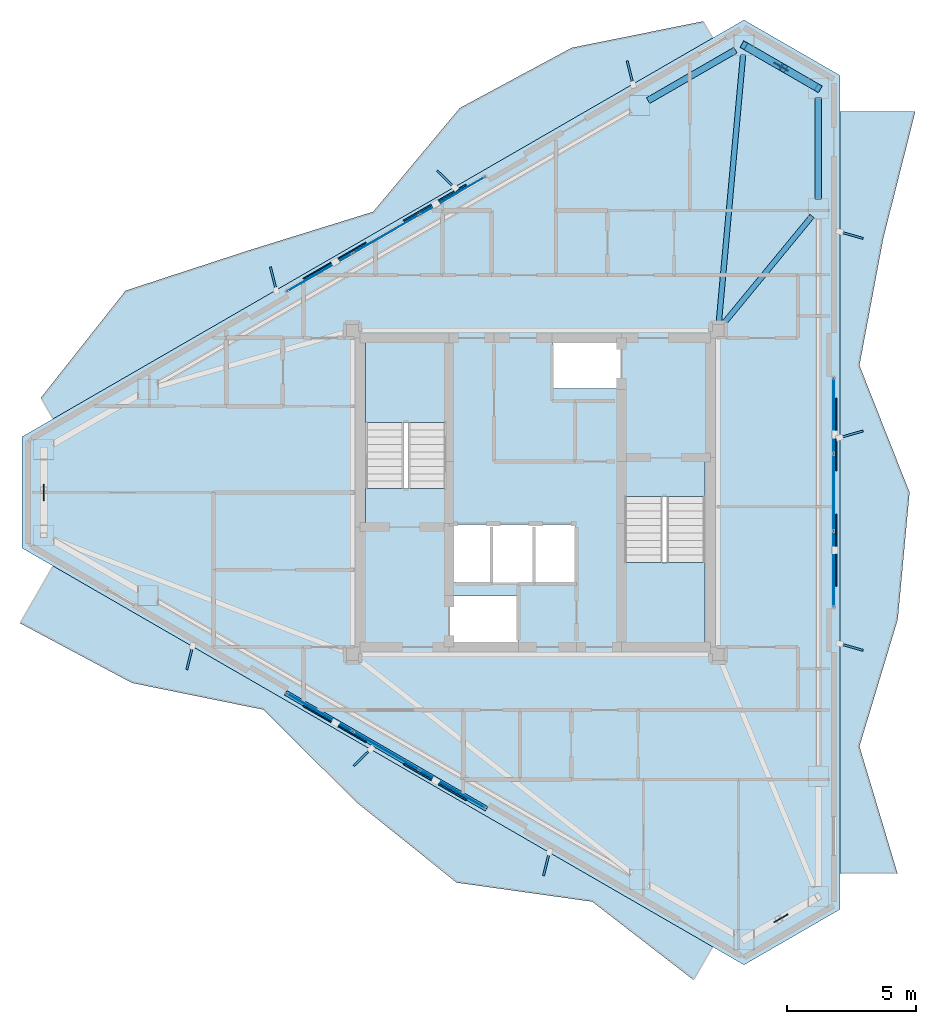
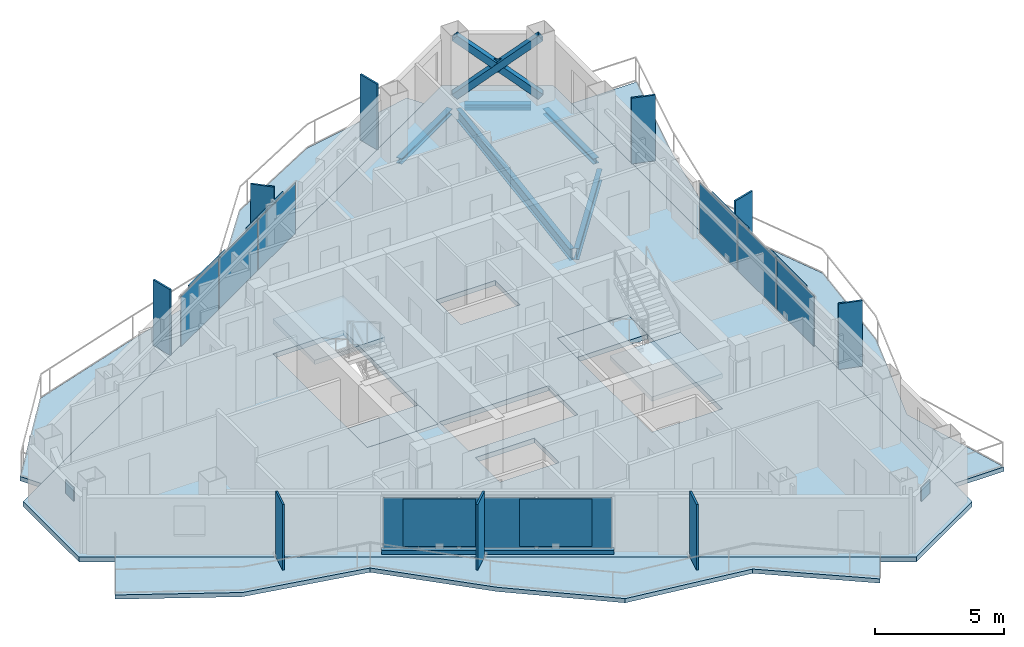
# One storey, part 15 of 22: 27 plates, 8 slabs, 5 beams, 3 members, 1 wall, 5 elements without a shape of their own.
"""IFC4 building model written with IfcOpenShell, lengths in metres."""

from ifc_helpers import new_model, si_unit, direction, frame, frame_2d, origin, origin_2d, place, context, subcontext, project, spatial, polyline, rectangle, hollow_rectangle, i_section, outline, extrude, material, layer, layer_set, material_profile, profile_set, type_object, element, aggregate, save


model = new_model("IFC4")

# Units and contexts
model_context = context("Model", 3, precision=1e-05, world=origin(), true_north=direction((0.0, 1.0)))
body_context = subcontext(model_context, "Body", "Model", "MODEL_VIEW")
ifc_project = project(units=[si_unit("LENGTHUNIT", "METRE"), si_unit("AREAUNIT", "SQUARE_METRE"), si_unit("VOLUMEUNIT", "CUBIC_METRE"), si_unit("PLANEANGLEUNIT", "RADIAN"), si_unit("MASSUNIT", "GRAM", prefix="KILO")], contexts=[model_context])

# Site, building, storey
site_placement = place(None, origin())
site = spatial("IfcSite", under=ifc_project, at=site_placement, CompositionType="ELEMENT")
building_placement = place(site_placement, origin())
building = spatial("IfcBuilding", under=site, at=building_placement, Name="Mersakhor Tower and Convention Hall", CompositionType="ELEMENT")
storey_placement = place(building_placement, frame((0.0, 0.0, 198.60009765625)))
storey = spatial("IfcBuildingStorey", under=building, at=storey_placement, Name="L55", CompositionType="ELEMENT", Elevation=198.60009765625)

# Beams
ifc_material_1 = material(Name="Steel S355", Category="steel")
ifc_material_profile_1 = material_profile(ifc_material_1, i_section(OverallWidth=0.2099609375, OverallDepth=0.53662109375, WebThickness=0.0107421875, FlangeThickness=0.017333984375, at=origin_2d()), Name="UB 533x210x101")
ifc_profile_set_1 = profile_set([ifc_material_profile_1], Name="Steel S355")
beam_type_1 = type_object("IfcBeamType", Name="BM-FB-533", PredefinedType="BEAM", material=ifc_profile_set_1)
beam_1_placement = place(storey_placement, frame((36.125244140625, 33.328857421875, -0.498291015625), z_axis=(0.090367269821, 0.99590850812, 0.0), x_axis=(-0.99590850812, 0.090367269821, 0.0)))
element("IfcBeam", 1, at=beam_1_placement, inside=storey, type_object=beam_type_1, Name="L55 Primary Floor Girder FG-2", PredefinedType="BEAM", context=body_context, shape_type="SweptSolid", body=[
    extrude(i_section(OverallWidth=0.2099609375, OverallDepth=0.53662109375, WebThickness=0.0107421875, FlangeThickness=0.017333984375, at=origin_2d()), origin(), (0.0, 0.0, 1.0), 10.45263671875),
])
beam_2_placement = place(storey_placement, frame((36.278076171875, 33.26611328125, -0.498291015625), z_axis=(0.635588076211, 0.772028365657, 0.0), x_axis=(-0.772028365657, 0.635588076211, 0.0)))
element("IfcBeam", 2, at=beam_2_placement, inside=storey, type_object=beam_type_1, Name="L55 Primary Floor Girder FG-3", PredefinedType="BEAM", context=body_context, shape_type="SweptSolid", body=[
    extrude(i_section(OverallWidth=0.2099609375, OverallDepth=0.53662109375, WebThickness=0.0107421875, FlangeThickness=0.017333984375, at=origin_2d()), origin(), (0.0, 0.0, 1.0), 5.45751953125),
])
ifc_material_2 = material(Name="Steel S355", Category="steel")
ifc_material_profile_2 = material_profile(ifc_material_2, i_section(OverallWidth=0.25634765625, OverallDepth=0.26025390625, WebThickness=0.01025390625, FlangeThickness=0.017333984375, at=origin_2d()), Name="UC 254x254x89")
ifc_profile_set_2 = profile_set([ifc_material_profile_2], Name="Steel S355")
beam_type_2 = type_object("IfcBeamType", Name="BM-SPD-UC254", PredefinedType="SPANDREL", material=ifc_profile_set_2)
beam_3_placement = place(storey_placement, frame((33.380859375, 41.967529296875, -0.360107421875), z_axis=(0.866007153761, 0.500031608635, 0.0), x_axis=(-0.500031608635, 0.866007153761, 0.0)))
element("IfcBeam", 3, at=beam_3_placement, inside=storey, type_object=beam_type_2, Name="L55 Perimeter Spandrel Beam SPB-03", PredefinedType="SPANDREL", context=body_context, shape_type="SweptSolid", body=[
    extrude(i_section(OverallWidth=0.25634765625, OverallDepth=0.26025390625, WebThickness=0.01025390625, FlangeThickness=0.017333984375, at=origin_2d()), origin(), (0.0, 0.0, 1.0), 3.919189453125),
])
beam_4_placement = place(storey_placement, frame((37.43310546875, 43.92724609375, -0.360107421875), z_axis=(0.866036909293, -0.499980071345, 0.0), x_axis=(0.499980071345, 0.866036909293, 0.0)))
element("IfcBeam", 4, at=beam_4_placement, inside=storey, type_object=beam_type_2, Name="L55 Perimeter Spandrel Beam SPB-04", PredefinedType="SPANDREL", context=body_context, shape_type="SweptSolid", body=[
    extrude(i_section(OverallWidth=0.25634765625, OverallDepth=0.26025390625, WebThickness=0.01025390625, FlangeThickness=0.017333984375, at=origin_2d()), origin(), (0.0, 0.0, 1.0), 2.5703125),
])
beam_5_placement = place(storey_placement, frame((39.98828125, 42.072021484375, -0.360107421875), z_axis=(0.0, -1.0, 0.0), x_axis=(1.0, 0.0, 0.0)))
element("IfcBeam", 5, at=beam_5_placement, inside=storey, type_object=beam_type_2, Name="L55 Perimeter Spandrel Beam SPB-05", PredefinedType="SPANDREL", context=body_context, shape_type="SweptSolid", body=[
    extrude(i_section(OverallWidth=0.25634765625, OverallDepth=0.26025390625, WebThickness=0.01025390625, FlangeThickness=0.017333984375, at=origin_2d()), origin(), (0.0, 0.0, 1.0), 3.919189453125),
])

# Members
ifc_material_3 = material(Name="Steel S355", Category="steel")
ifc_material_profile_3 = material_profile(ifc_material_3, hollow_rectangle(XDim=0.300048828125, YDim=0.300048828125, WallThickness=0.01611328125, at=origin_2d()), Name="SHS 300x300x16")
ifc_profile_set_3 = profile_set([ifc_material_profile_3], Name="Steel S355")
member_type = type_object("IfcMemberType", Name="MB-BRC-SHS300", PredefinedType="BRACE", material=ifc_profile_set_3)
member_1_placement = place(storey_placement, frame((37.10400390625, 44.1171875, 0.14990234375), z_axis=(0.665824923443, -0.384424564314, 0.639448923429), x_axis=(0.50001011158, 0.866019565782, 0.0)))
element("IfcMember", 6, at=member_1_placement, inside=storey, type_object=member_type, Name="L55 Chamfer Braced Frame Diagonal CB-1A", PredefinedType="BRACE", context=body_context, shape_type="SweptSolid", body=[
    extrude(hollow_rectangle(XDim=0.300048828125, YDim=0.300048828125, WallThickness=0.01611328125, at=origin_2d()), origin(), (0.0, 0.0, 1.0), 4.331787109375),
])
member_2_placement = place(storey_placement, frame((39.98828125, 42.451904296875, 0.14990234375), z_axis=(-0.665763296387, 0.384506307606, 0.639463941592), x_axis=(-0.500124558158, -0.865953478154, 0.0)))
element("IfcMember", 7, at=member_2_placement, inside=storey, type_object=member_type, Name="L55 Chamfer Braced Frame Diagonal CB-1B Lower Half", PredefinedType="BRACE", context=body_context, shape_type="SweptSolid", body=[
    extrude(hollow_rectangle(XDim=0.300048828125, YDim=0.300048828125, WallThickness=0.01611328125, at=origin_2d()), origin(), (0.0, 0.0, 1.0), 2.005126953125),
])
member_3_placement = place(storey_placement, frame((38.439208984375, 43.34619140625, 1.6376953125), z_axis=(-0.665831077073, 0.384475140135, 0.639412107659), x_axis=(-0.50005597947, -0.86599308161, 0.0)))
element("IfcMember", 8, at=member_3_placement, inside=storey, type_object=member_type, Name="L55 Chamfer Braced Frame Diagonal CB-1B Upper Half", PredefinedType="BRACE", context=body_context, shape_type="SweptSolid", body=[
    extrude(hollow_rectangle(XDim=0.300048828125, YDim=0.300048828125, WallThickness=0.01611328125, at=origin_2d()), origin(), (0.0, 0.0, 1.0), 2.00537109375),
])

# Curtain wall, plates
ifc_material_4 = material(Name="Dark solar low-E aluminium curtain wall", Category="aluminium")
ifc_layer_1 = layer(ifc_material_4, 0.169921875)
ifc_layer_set_1 = layer_set([ifc_layer_1], Name="Dark solar low-E aluminium curtain wall")
curtain_wall_type = type_object("IfcCurtainWallType", Name="CW-SYS-02", PredefinedType="USERDEFINED", material=ifc_layer_set_1)
curtain_wall_1_placement = place(storey_placement, origin())
curtain_wall_1 = element("IfcCurtainWall", 9, at=curtain_wall_1_placement, inside=storey, type_object=curtain_wall_type, Name="L55 Dark-Glass Curtain Wall F1-B2", ObjectType="CURTAIN WALL", PredefinedType="USERDEFINED")
ifc_material_5 = material(Name="Dark solar double glazing", Category="glass")
ifc_layer_2 = layer(ifc_material_5, 0.028076171875)
ifc_layer_set_2 = layer_set([ifc_layer_2], Name="Dark solar double glazing")
plate_type_1 = type_object("IfcPlateType", Name="CWP-GLZ-28", PredefinedType="CURTAIN_PANEL", material=ifc_layer_set_2)
plate_1_placement = place(storey_placement, frame((20.624267578125, 35.29541015625, 0.259765625), z_axis=(0.0, 0.0, 1.0), x_axis=(0.86602088627, 0.500007824483, 0.0)))
plate_1 = element("IfcPlate", 10, at=plate_1_placement, type_object=plate_type_1, Name="CW-02 panel 1.1", PredefinedType="CURTAIN_PANEL", context=body_context, shape_type="SweptSolid", body=[
    extrude(rectangle(XDim=2.88720703125, YDim=0.028076171875, at=origin_2d()), origin(), (0.0, 0.0, 1.0), 2.3701171875),
])
plate_2_placement = place(storey_placement, frame((23.205810546875, 36.785888671875, 0.259765625), z_axis=(0.0, 0.0, 1.0), x_axis=(0.86602088627, 0.500007824483, 0.0)))
plate_2 = element("IfcPlate", 11, at=plate_2_placement, type_object=plate_type_1, Name="CW-02 panel 2.1", PredefinedType="CURTAIN_PANEL", context=body_context, shape_type="SweptSolid", body=[
    extrude(rectangle(XDim=2.924560546875, YDim=0.028076171875, at=origin_2d()), origin(), (0.0, 0.0, 1.0), 2.3701171875),
])
plate_3_placement = place(storey_placement, frame((25.787353515625, 38.2763671875, 0.259765625), z_axis=(0.0, 0.0, 1.0), x_axis=(0.86602088627, 0.500007824483, 0.0)))
plate_3 = element("IfcPlate", 12, at=plate_3_placement, type_object=plate_type_1, Name="CW-02 panel 3.1", PredefinedType="CURTAIN_PANEL", context=body_context, shape_type="SweptSolid", body=[
    extrude(rectangle(XDim=2.88720703125, YDim=0.028076171875, at=origin_2d()), origin(), (0.0, 0.0, 1.0), 2.3701171875),
])
aggregate(curtain_wall_1, [plate_1, plate_2, plate_3])

curtain_wall_2_placement = place(storey_placement, origin())
curtain_wall_2 = element("IfcCurtainWall", 13, at=curtain_wall_2_placement, inside=storey, type_object=curtain_wall_type, Name="L55 Dark-Glass Curtain Wall F2-B2", ObjectType="CURTAIN WALL", PredefinedType="USERDEFINED")
plate_4_placement = place(storey_placement, frame((40.58837890625, 29.73095703125, 0.259765625), z_axis=(0.0, 0.0, 1.0), x_axis=(0.0, -1.0, 0.0)))
plate_4 = element("IfcPlate", 14, at=plate_4_placement, type_object=plate_type_1, Name="CW-02 panel 1.1", PredefinedType="CURTAIN_PANEL", context=body_context, shape_type="SweptSolid", body=[
    extrude(rectangle(XDim=2.88720703125, YDim=0.028076171875, at=origin_2d()), origin(), (0.0, 0.0, 1.0), 2.3701171875),
])
plate_5_placement = place(storey_placement, frame((40.58837890625, 26.75, 0.259765625), z_axis=(0.0, 0.0, 1.0), x_axis=(0.0, -1.0, 0.0)))
plate_5 = element("IfcPlate", 15, at=plate_5_placement, type_object=plate_type_1, Name="CW-02 panel 2.1", PredefinedType="CURTAIN_PANEL", context=body_context, shape_type="SweptSolid", body=[
    extrude(rectangle(XDim=2.924560546875, YDim=0.028076171875, at=origin_2d()), origin(), (0.0, 0.0, 1.0), 2.3701171875),
])
plate_6_placement = place(storey_placement, frame((40.58837890625, 23.76904296875, 0.259765625), z_axis=(0.0, 0.0, 1.0), x_axis=(0.0, -1.0, 0.0)))
plate_6 = element("IfcPlate", 16, at=plate_6_placement, type_object=plate_type_1, Name="CW-02 panel 3.1", PredefinedType="CURTAIN_PANEL", context=body_context, shape_type="SweptSolid", body=[
    extrude(rectangle(XDim=2.88720703125, YDim=0.028076171875, at=origin_2d()), origin(), (0.0, 0.0, 1.0), 2.3701171875),
])
aggregate(curtain_wall_2, [plate_4, plate_5, plate_6])

curtain_wall_3_placement = place(storey_placement, origin())
curtain_wall_3 = element("IfcCurtainWall", 17, at=curtain_wall_3_placement, inside=storey, type_object=curtain_wall_type, Name="L55 Dark-Glass Curtain Wall F3-B2", ObjectType="CURTAIN WALL", PredefinedType="USERDEFINED")
plate_7_placement = place(storey_placement, frame((25.787353515625, 15.2236328125, 0.259765625), z_axis=(0.0, 0.0, 1.0), x_axis=(-0.86602088627, 0.500007824483, 0.0)))
plate_7 = element("IfcPlate", 18, at=plate_7_placement, type_object=plate_type_1, Name="CW-02 panel 1.1", PredefinedType="CURTAIN_PANEL", context=body_context, shape_type="SweptSolid", body=[
    extrude(rectangle(XDim=2.88720703125, YDim=0.028076171875, at=origin_2d()), origin(), (0.0, 0.0, 1.0), 2.3701171875),
])
plate_8_placement = place(storey_placement, frame((23.205810546875, 16.714111328125, 0.259765625), z_axis=(0.0, 0.0, 1.0), x_axis=(-0.86602088627, 0.500007824483, 0.0)))
plate_8 = element("IfcPlate", 19, at=plate_8_placement, type_object=plate_type_1, Name="CW-02 panel 2.1", PredefinedType="CURTAIN_PANEL", context=body_context, shape_type="SweptSolid", body=[
    extrude(rectangle(XDim=2.924560546875, YDim=0.028076171875, at=origin_2d()), origin(), (0.0, 0.0, 1.0), 2.3701171875),
])
plate_9_placement = place(storey_placement, frame((20.624267578125, 18.20458984375, 0.259765625), z_axis=(0.0, 0.0, 1.0), x_axis=(-0.86602088627, 0.500007824483, 0.0)))
plate_9 = element("IfcPlate", 20, at=plate_9_placement, type_object=plate_type_1, Name="CW-02 panel 3.1", PredefinedType="CURTAIN_PANEL", context=body_context, shape_type="SweptSolid", body=[
    extrude(rectangle(XDim=2.88720703125, YDim=0.028076171875, at=origin_2d()), origin(), (0.0, 0.0, 1.0), 2.3701171875),
])
aggregate(curtain_wall_3, [plate_7, plate_8, plate_9])

# Plates
ifc_material_6 = material(Name="Ceramic-clad aluminium Zone 4 terracotta-coral", Category="masonry")
ifc_material_7 = material(Name="Ceramic-clad aluminium Zone 1 cobalt-slate", Category="masonry")
ifc_layer_3 = layer(ifc_material_7, 0.080078125)
ifc_layer_set_3 = layer_set([ifc_layer_3], Name="Ceramic-clad aluminium Zone 1 cobalt-slate")
plate_type_2 = type_object("IfcPlateType", Name="PL-FIN-80", PredefinedType="USERDEFINED", material=ifc_layer_set_3)
for number, where, z_axis, x_axis, name in (
    (21, (18.8251953125, 35.049560546875, -0.000244140625), (0.0, 0.0, 1.0), (-0.2419218956, 0.970295726276, 0.0), "L55 Zone 4 Coloured Brise-Soleil Fin F1-1"),
    (22, (25.526611328125, 38.918701171875, -0.000244140625), (0.0, 0.0, 1.0), (-0.719339800339, 0.694658370459, 0.0), "L55 Zone 4 Coloured Brise-Soleil Fin F1-2"),
    (23, (32.681640625, 43.049560546875, -0.000244140625), (0.0, 0.0, 1.0), (-0.2419218956, 0.970295726276, 0.0), "L55 Zone 4 Coloured Brise-Soleil Fin F1-3"),
    (24, (41.27490234375, 36.7451171875, -0.000244140625), (0.0, 0.0, 1.0), (0.961261695938, -0.275637355817, 0.0), "L55 Zone 4 Coloured Brise-Soleil Fin F2-1"),
    (25, (41.27490234375, 29.007080078125, -0.000244140625), (0.0, 0.0, 1.0), (0.961261695938, 0.275637355817, 0.0), "L55 Zone 4 Coloured Brise-Soleil Fin F2-2"),
    (26, (41.27490234375, 20.7451171875, -0.000244140625), (0.0, 0.0, 1.0), (0.961261695938, -0.275637355817, 0.0), "L55 Zone 4 Coloured Brise-Soleil Fin F2-3"),
    (27, (29.435791015625, 12.324462890625, -0.000244140625), (0.0, 0.0, 1.0), (-0.2419218956, -0.970295726276, 0.0), "L55 Zone 4 Coloured Brise-Soleil Fin F3-1"),
    (28, (22.281005859375, 16.455322265625, -0.000244140625), (0.0, 0.0, 1.0), (-0.719339800339, -0.694658370459, 0.0), "L55 Zone 4 Coloured Brise-Soleil Fin F3-2"),
    (29, (15.57958984375, 20.324462890625, -0.000244140625), (0.0, 0.0, 1.0), (-0.2419218956, -0.970295726276, 0.0), "L55 Zone 4 Coloured Brise-Soleil Fin F3-3"),
):
    element("IfcPlate", number, at=place(storey_placement, frame(where, z_axis=z_axis, x_axis=x_axis)), inside=storey, type_object=plate_type_2, material=ifc_material_6, Name=name, ObjectType="FIN", PredefinedType="USERDEFINED", context=body_context, shape_type="SweptSolid", body=[
        extrude(rectangle(XDim=0.949951171875, YDim=0.080078125, at=origin_2d()), origin(), (0.0, 0.0, 1.0), 3.10009765625),
    ])
ifc_material_8 = material(Name="Steel S460", Category="steel")
ifc_layer_4 = layer(ifc_material_8, 0.0400390625)
ifc_layer_set_4 = layer_set([ifc_layer_4], Name="Steel S460")
plate_type_3 = type_object("IfcPlateType", Name="PL-GUSSET-40", PredefinedType="SHEET", material=ifc_layer_set_4)
for number, where, z_axis, x_axis, name in (
    (30, (38.54638671875, 43.28466796875, 1.21484375), (0.0, 0.0, 1.0), (-0.866025403784, 0.5, 0.0), "L55 X-Brace Crossing Gusset Node Plate"),
    (31, (38.54638671875, 10.21533203125, 1.21484375), (0.0, 0.0, 1.0), (0.866025403784, 0.5, 0.0), "L55 X-Brace Crossing Gusset Node Plate"),
    (32, (9.907470703125, 26.75, 1.21484375), (0.0, 0.0, 1.0), (0.0, -1.0, 0.0), "L55 X-Brace Crossing Gusset Node Plate"),
):
    element("IfcPlate", number, at=place(storey_placement, frame(where, z_axis=z_axis, x_axis=x_axis)), inside=storey, type_object=plate_type_3, Name=name, PredefinedType="SHEET", context=body_context, shape_type="SweptSolid", body=[
        extrude(rectangle(XDim=0.639892578125, YDim=0.0400390625, at=origin_2d()), origin(), (0.0, 0.0, 1.0), 0.639892578125),
    ])
ifc_material_9 = material(Name="Perforated ceramic cobogo solar screen", Category="aluminium")
ifc_layer_5 = layer(ifc_material_9, 0.055908203125)
ifc_layer_set_5 = layer_set([ifc_layer_5], Name="Perforated ceramic cobogo solar screen")
plate_type_4 = type_object("IfcPlateType", Name="PL-SCR-56", PredefinedType="USERDEFINED", material=ifc_layer_set_5)
for number, where, z_axis, x_axis, name in (
    (33, (21.20849609375, 35.745849609375, 0.39990234375), (0.0, 0.0, 1.0), (0.866025403784, 0.5, 0.0), "L55 Perforated Ceramic Solar Screen F1-1"),
    (34, (25.10498046875, 37.99560546875, 0.39990234375), (0.0, 0.0, 1.0), (0.866025403784, 0.5, 0.0), "L55 Perforated Ceramic Solar Screen F1-2"),
    (35, (40.686279296875, 28.999755859375, 0.39990234375), (0.0, 0.0, 1.0), (0.0, -1.0, 0.0), "L55 Perforated Ceramic Solar Screen F2-1"),
    (36, (40.686279296875, 24.500244140625, 0.39990234375), (0.0, 0.0, 1.0), (0.0, -1.0, 0.0), "L55 Perforated Ceramic Solar Screen F2-2"),
    (37, (25.10498046875, 15.50439453125, 0.39990234375), (0.0, 0.0, 1.0), (-0.866025403784, 0.5, 0.0), "L55 Perforated Ceramic Solar Screen F3-1"),
    (38, (21.20849609375, 17.754150390625, 0.39990234375), (0.0, 0.0, 1.0), (-0.866025403784, 0.5, 0.0), "L55 Perforated Ceramic Solar Screen F3-2"),
):
    element("IfcPlate", number, at=place(storey_placement, frame(where, z_axis=z_axis, x_axis=x_axis)), inside=storey, type_object=plate_type_4, Name=name, ObjectType="SCREEN", PredefinedType="USERDEFINED", context=body_context, shape_type="SweptSolid", body=[
        extrude(rectangle(XDim=2.800048828125, YDim=0.055908203125, at=origin_2d()), origin(), (0.0, 0.0, 1.0), 2.239990234375),
    ])

# Slabs
ifc_material_10 = material(Name="Concrete C45/55", Category="concrete")
ifc_layer_6 = layer(ifc_material_10, 0.199951171875)
ifc_layer_set_6 = layer_set([ifc_layer_6], Name="Concrete C45/55")
slab_type_1 = type_object("IfcSlabType", Name="SL-BAL-200", PredefinedType="FLOOR", material=ifc_layer_set_6)
slab_1_placement = place(storey_placement, frame((0.0, 0.0, -0.2001953125)))
element("IfcSlab", 39, at=slab_1_placement, inside=storey, type_object=slab_type_1, Name="L55 Sinusoidal Balcony Slab Face 1", PredefinedType="FLOOR", context=body_context, shape_type="SweptSolid", body=[
    extrude(outline(polyline([(10.27001953125, 29.60595703125), (35.8916015625, 44.398681640625), (35.5166015625, 45.048095703125), (30.41650390625, 44.0205078125), (26.072021484375, 41.68310546875), (22.705810546875, 37.65185546875), (17.877685546875, 36.152587890625), (13.087890625, 34.587158203125), (9.797607421875, 30.423828125), (10.27001953125, 29.60595703125)])), origin(), (0.0, 0.0, 1.0), 0.2001953125),
])
slab_2_placement = place(storey_placement, frame((0.0, 0.0, -0.2001953125)))
element("IfcSlab", 40, at=slab_2_placement, inside=storey, type_object=slab_type_1, Name="L55 Sinusoidal Balcony Slab Face 2", PredefinedType="FLOOR", context=body_context, shape_type="SweptSolid", body=[
    extrude(outline(polyline([(40.83837890625, 41.542724609375), (40.83837890625, 11.957275390625), (43.0654296875, 11.957275390625), (41.58837890625, 16.88818359375), (43.076416015625, 21.819091796875), (43.535400390625, 26.75), (41.58837890625, 31.680908203125), (42.51318359375, 36.61181640625), (43.75830078125, 41.542724609375), (40.83837890625, 41.542724609375)])), origin(), (0.0, 0.0, 1.0), 0.2001953125),
])
slab_3_placement = place(storey_placement, frame((0.0, 0.0, -0.2001953125)))
element("IfcSlab", 41, at=slab_3_placement, inside=storey, type_object=slab_type_1, Name="L55 Sinusoidal Balcony Slab Face 3", PredefinedType="FLOOR", context=body_context, shape_type="SweptSolid", body=[
    extrude(outline(polyline([(35.8916015625, 9.101318359375), (10.27001953125, 23.89404296875), (8.986572265625, 21.671142578125), (13.340087890625, 19.35009765625), (18.435546875, 18.313720703125), (22.05322265625, 14.718017578125), (25.9443359375, 11.595703125), (31.211181640625, 10.856201171875), (35.148193359375, 7.813720703125), (35.8916015625, 9.101318359375)])), origin(), (0.0, 0.0, 1.0), 0.2001953125),
])
ifc_material_11 = material(Name="Concrete C40/50", Category="concrete")
ifc_layer_7 = layer(ifc_material_11, 0.22998046875)
ifc_layer_set_7 = layer_set([ifc_layer_7], Name="Concrete C40/50")
slab_type_2 = type_object("IfcSlabType", Name="SL-FLR-230", PredefinedType="FLOOR", material=ifc_layer_set_7)
slab_4_placement = place(storey_placement, frame((0.0, 0.0, -0.22998046875)))
element("IfcSlab", 42, at=slab_4_placement, inside=storey, type_object=slab_type_2, Name="L55 ST-1 Structural Stair Floor Landing", PredefinedType="LANDING", context=body_context, shape_type="SweptSolid", body=[
    extrude(outline(polyline([(25.550048828125, 25.39990234375), (25.550048828125, 26.89990234375), (22.39990234375, 26.89990234375), (22.39990234375, 25.39990234375), (25.550048828125, 25.39990234375)])), origin(), (0.0, 0.0, 1.0), 0.22998046875),
])
slab_5_placement = place(storey_placement, frame((0.0, 0.0, -0.22998046875)))
element("IfcSlab", 43, at=slab_5_placement, inside=storey, type_object=slab_type_2, Name="L55 ST-2 Structural Stair Floor Landing", PredefinedType="LANDING", context=body_context, shape_type="SweptSolid", body=[
    extrude(outline(polyline([(32.449951171875, 28.10009765625), (32.449951171875, 26.60009765625), (35.60009765625, 26.60009765625), (35.60009765625, 28.10009765625), (32.449951171875, 28.10009765625)])), origin(), (0.0, 0.0, 1.0), 0.22998046875),
])
slab_6_placement = place(storey_placement, frame((0.0, 0.0, -0.22998046875)))
element("IfcSlab", 44, at=slab_6_placement, inside=storey, type_object=slab_type_2, Name="Tower L55 Structural Floor Slab", PredefinedType="FLOOR", context=body_context, shape_type="SweptSolid", body=[
    extrude(outline(polyline([(9.0576171875, 28.906005859375), (37.10400390625, 45.0986328125), (40.83837890625, 42.942626953125), (40.83837890625, 10.557373046875), (37.10400390625, 8.4013671875), (9.0576171875, 24.593994140625), (9.0576171875, 28.906005859375)]), holes=[polyline([(25.550048828125, 25.39990234375), (25.550048828125, 32.699951171875), (22.39990234375, 32.699951171875), (22.39990234375, 25.39990234375), (25.550048828125, 25.39990234375)]), polyline([(32.449951171875, 28.10009765625), (32.449951171875, 20.800048828125), (35.60009765625, 20.800048828125), (35.60009765625, 28.10009765625), (32.449951171875, 28.10009765625)]), polyline([(25.679931640625, 20.820068359375), (25.679931640625, 22.719970703125), (28.320068359375, 22.719970703125), (28.320068359375, 20.820068359375), (25.679931640625, 20.820068359375)]), polyline([(29.679931640625, 30.780029296875), (29.679931640625, 32.679931640625), (32.320068359375, 32.679931640625), (32.320068359375, 30.780029296875), (29.679931640625, 30.780029296875)]), polyline([(25.679931640625, 23.25), (25.679931640625, 25.5), (30.570068359375, 25.5), (30.570068359375, 23.25), (25.679931640625, 23.25)])]), origin(), (0.0, 0.0, 1.0), 0.22998046875),
])

# Stair, slab
ifc_material_12 = material(Name="Concrete C45/55", Category="concrete")
stair_type = type_object("IfcStairType", Name="ST-TWR-20R", PredefinedType="HALF_TURN_STAIR", material=ifc_material_12)
stair_1_placement = place(storey_placement, origin())
stair_1 = element("IfcStair", 45, at=stair_1_placement, inside=storey, type_object=stair_type, Name="L55 Tower Protected Exit Stair ST-1", PredefinedType="HALF_TURN_STAIR")
ifc_material_13 = material(Name="Concrete C45/55", Category="concrete")
ifc_layer_8 = layer(ifc_material_13, 0.199951171875)
ifc_layer_set_8 = layer_set([ifc_layer_8], Name="Concrete C45/55")
slab_type_3 = type_object("IfcSlabType", Name="SL-LAND-200", PredefinedType="LANDING", material=ifc_layer_set_8)
slab_7_placement = place(storey_placement, frame((0.0, 0.0, 1.449951171875)))
slab_7 = element("IfcSlab", 46, at=slab_7_placement, type_object=slab_type_3, Name="ST-1 landing 1", PredefinedType="LANDING", context=body_context, shape_type="SweptSolid", body=[
    extrude(outline(polyline([(25.550048828125, 29.465087890625), (25.550048828125, 32.699951171875), (22.39990234375, 32.699951171875), (22.39990234375, 29.465087890625), (25.550048828125, 29.465087890625)])), origin(), (0.0, 0.0, 1.0), 0.199951171875),
])
aggregate(stair_1, [slab_7])

stair_2_placement = place(storey_placement, origin())
stair_2 = element("IfcStair", 47, at=stair_2_placement, inside=storey, type_object=stair_type, Name="L55 Tower Protected Exit Stair ST-2", PredefinedType="HALF_TURN_STAIR")
slab_8_placement = place(storey_placement, frame((0.0, 0.0, 1.449951171875)))
slab_8 = element("IfcSlab", 48, at=slab_8_placement, type_object=slab_type_3, Name="ST-2 landing 1", PredefinedType="LANDING", context=body_context, shape_type="SweptSolid", body=[
    extrude(outline(polyline([(32.449951171875, 24.034912109375), (32.449951171875, 20.800048828125), (35.60009765625, 20.800048828125), (35.60009765625, 24.034912109375), (32.449951171875, 24.034912109375)])), origin(), (0.0, 0.0, 1.0), 0.199951171875),
])
aggregate(stair_2, [slab_8])

# Wall
ifc_material_14 = material(Name="Precast concrete C40/50", Category="concrete")
ifc_layer_9 = layer(ifc_material_14, 0.199951171875)
ifc_layer_set_9 = layer_set([ifc_layer_9], Name="Precast concrete C40/50")
wall_type = type_object("IfcWallType", Name="WL-PAR-200", PredefinedType="PARAPET", material=ifc_layer_set_9)
wall_placement = place(storey_placement, frame((27.102294921875, 14.46435546875, 0.0), z_axis=(0.0, 0.0, 1.0), x_axis=(-0.866020680503, 0.500008180874, 0.0)))
element("IfcWall", 49, at=wall_placement, inside=storey, type_object=wall_type, Name="L55 Curtain Wall Upstand Sill F3-B2", PredefinedType="PARAPET", context=body_context, shape_type="SweptSolid", body=[
    extrude(rectangle(XDim=8.998779296875, YDim=0.199951171875, at=frame_2d((4.49951171875, 0.0))), origin(), (0.0, 0.0, 1.0), 0.199951171875),
])

save(model, "model.ifc")
